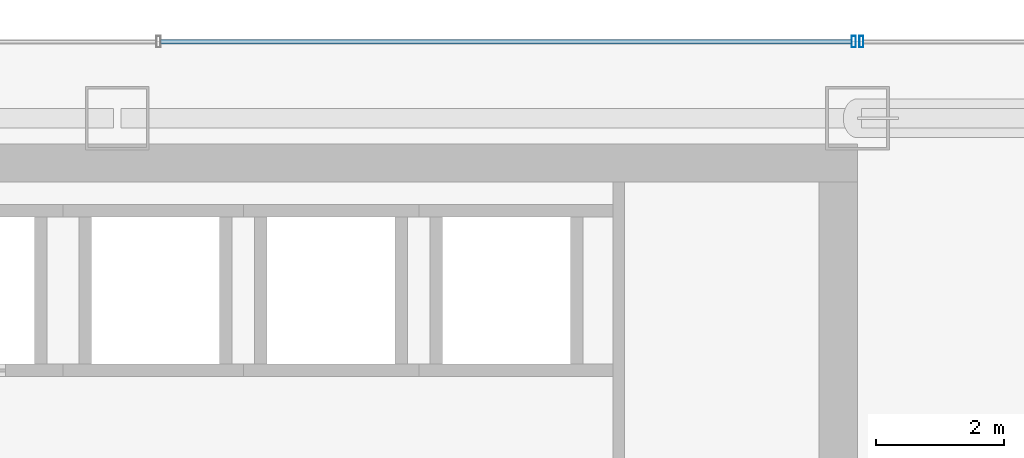
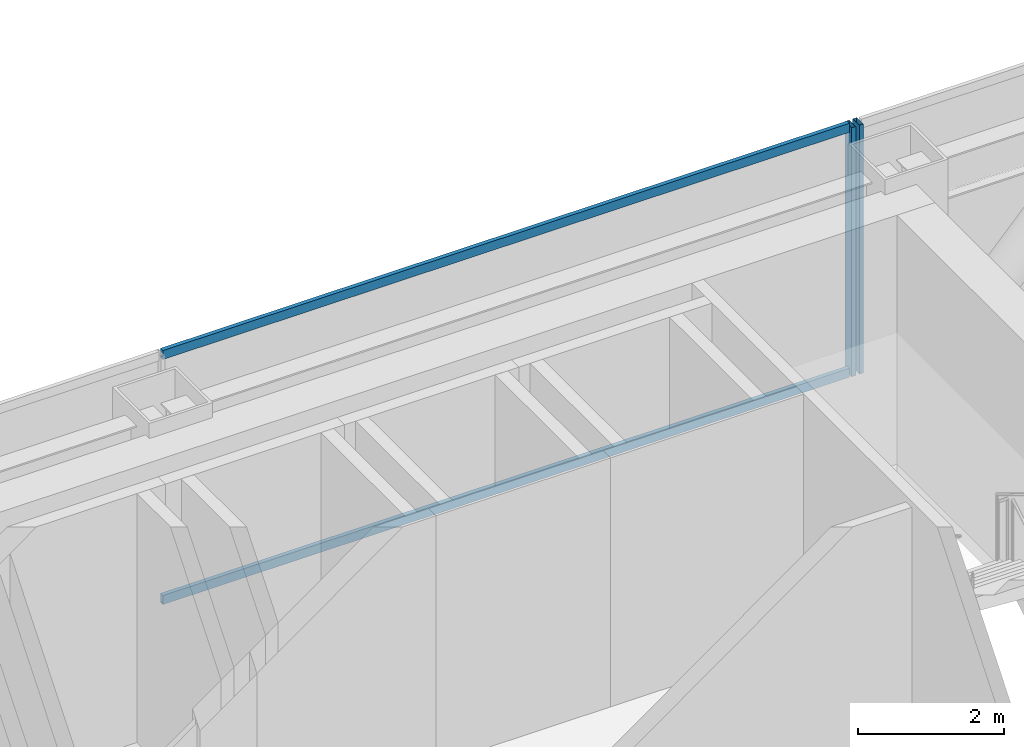
# One storey, part 28 of 37: 4 members, 2 elements without a shape of their own.
"""IFC4 building model written with IfcOpenShell, lengths in metres."""

from ifc_helpers import new_model, si_unit, direction, frame, origin, origin_2d, place, context, subcontext, project, spatial, hollow_rectangle, extrude, material, material_profile, profile_set, type_object, element, aggregate, save


model = new_model("IFC4")

# Units and contexts
model_context = context("Model", 3, precision=1e-05, world=origin(), true_north=direction((0.0, 1.0)))
body_context = subcontext(model_context, "Body", "Model", "MODEL_VIEW")
ifc_project = project(units=[si_unit("LENGTHUNIT", "METRE"), si_unit("AREAUNIT", "SQUARE_METRE"), si_unit("VOLUMEUNIT", "CUBIC_METRE"), si_unit("PLANEANGLEUNIT", "RADIAN"), si_unit("MASSUNIT", "GRAM", prefix="KILO")], contexts=[model_context])

# Site, building, storey
site_placement = place(None, origin())
site = spatial("IfcSite", under=ifc_project, at=site_placement, CompositionType="ELEMENT")
building_placement = place(site_placement, origin())
building = spatial("IfcBuilding", under=site, at=building_placement, Name="Saevonmaru Cultural Tower", CompositionType="ELEMENT")
storey_placement = place(building_placement, frame((0.0, 0.0, 114.800048828125)))
storey = spatial("IfcBuildingStorey", under=building, at=storey_placement, Name="L24", CompositionType="ELEMENT", Elevation=114.800048828125)

# Curtain wall, member
ifc_material = material(Name="Satin Bronze Anodised Aluminium", Category="aluminium")
curtain_wall_type = type_object("IfcCurtainWallType", Name="CW-TYP-A", PredefinedType="NOTDEFINED", material=ifc_material)
curtain_wall_1_placement = place(storey_placement, origin())
curtain_wall_1 = element("IfcCurtainWall", 1, at=curtain_wall_1_placement, inside=storey, type_object=curtain_wall_type, Name="L24 East Braced Bay Spandrel Curtain Wall E10A", PredefinedType="NOTDEFINED")
ifc_material_profile_1 = material_profile(ifc_material, hollow_rectangle(XDim=0.06494140625, YDim=0.179931640625, WallThickness=0.00390625, at=origin_2d()), Name="ALU-MULL-180x65x4")
ifc_profile_set_1 = profile_set([ifc_material_profile_1], Name="Satin Bronze Anodised Aluminium")
member_type_1 = type_object("IfcMemberType", Name="ML-CW-180x65", PredefinedType="MULLION", material=ifc_profile_set_1)
member_1_placement = place(storey_placement, frame((46.4599609375, 56.0, 0.0), z_axis=(0.0, 0.0, 1.0), x_axis=(-1.0, 0.0, 0.0)))
member_1 = element("IfcMember", 2, at=member_1_placement, type_object=member_type_1, Name="CW-TW-L24-E10A mullion 2", PredefinedType="MULLION", context=body_context, shape_type="SweptSolid", body=[
    extrude(hollow_rectangle(XDim=0.06494140625, YDim=0.179931640625, WallThickness=0.00390625, at=origin_2d()), origin(), (0.0, 0.0, 1.0), 4.14990234375),
])
aggregate(curtain_wall_1, [member_1])

# Curtain wall, members
curtain_wall_2_placement = place(storey_placement, origin())
curtain_wall_2 = element("IfcCurtainWall", 3, at=curtain_wall_2_placement, inside=storey, type_object=curtain_wall_type, Name="L24 North Spine Unitised Curtain Wall E10B", PredefinedType="NOTDEFINED")
member_2_placement = place(storey_placement, frame((46.340087890625, 56.0, 0.0), z_axis=(0.0, 0.0, 1.0), x_axis=(-1.0, 0.0, 0.0)))
member_2 = element("IfcMember", 4, at=member_2_placement, type_object=member_type_1, Name="CW-TW-L24-E10B mullion 1", PredefinedType="MULLION", context=body_context, shape_type="SweptSolid", body=[
    extrude(hollow_rectangle(XDim=0.06494140625, YDim=0.179931640625, WallThickness=0.00390625, at=origin_2d()), origin(), (0.0, 0.0, 1.0), 4.14990234375),
])
ifc_material_profile_2 = material_profile(ifc_material, hollow_rectangle(XDim=0.06494140625, YDim=0.14990234375, WallThickness=0.00390625, at=origin_2d()), Name="ALU-TRAN-150x65x4")
ifc_profile_set_2 = profile_set([ifc_material_profile_2], Name="Satin Bronze Anodised Aluminium")
member_type_2 = type_object("IfcMemberType", Name="TR-CW-150x65", PredefinedType="USERDEFINED", material=ifc_profile_set_2)
member_3_placement = place(storey_placement, frame((46.3076171875, 56.0, 0.032470703125), z_axis=(-1.0, 0.0, 0.0), x_axis=(0.0, -1.0, 0.0)))
member_3 = element("IfcMember", 5, at=member_3_placement, type_object=member_type_2, Name="CW-TW-L24-E10B transom 1.1", ObjectType="TRANSOM", PredefinedType="USERDEFINED", context=body_context, shape_type="SweptSolid", body=[
    extrude(hollow_rectangle(XDim=0.06494140625, YDim=0.14990234375, WallThickness=0.00390625, at=origin_2d()), origin(), (0.0, 0.0, 1.0), 10.828369140625),
])
member_4_placement = place(storey_placement, frame((46.3076171875, 56.0, 4.117431640625), z_axis=(-1.0, 0.0, 0.0), x_axis=(0.0, -1.0, 0.0)))
member_4 = element("IfcMember", 6, at=member_4_placement, type_object=member_type_2, Name="CW-TW-L24-E10B transom 1.2", ObjectType="TRANSOM", PredefinedType="USERDEFINED", context=body_context, shape_type="SweptSolid", body=[
    extrude(hollow_rectangle(XDim=0.06494140625, YDim=0.14990234375, WallThickness=0.00390625, at=origin_2d()), origin(), (0.0, 0.0, 1.0), 10.828369140625),
])
aggregate(curtain_wall_2, [member_2, member_3, member_4])

save(model, "model.ifc")
